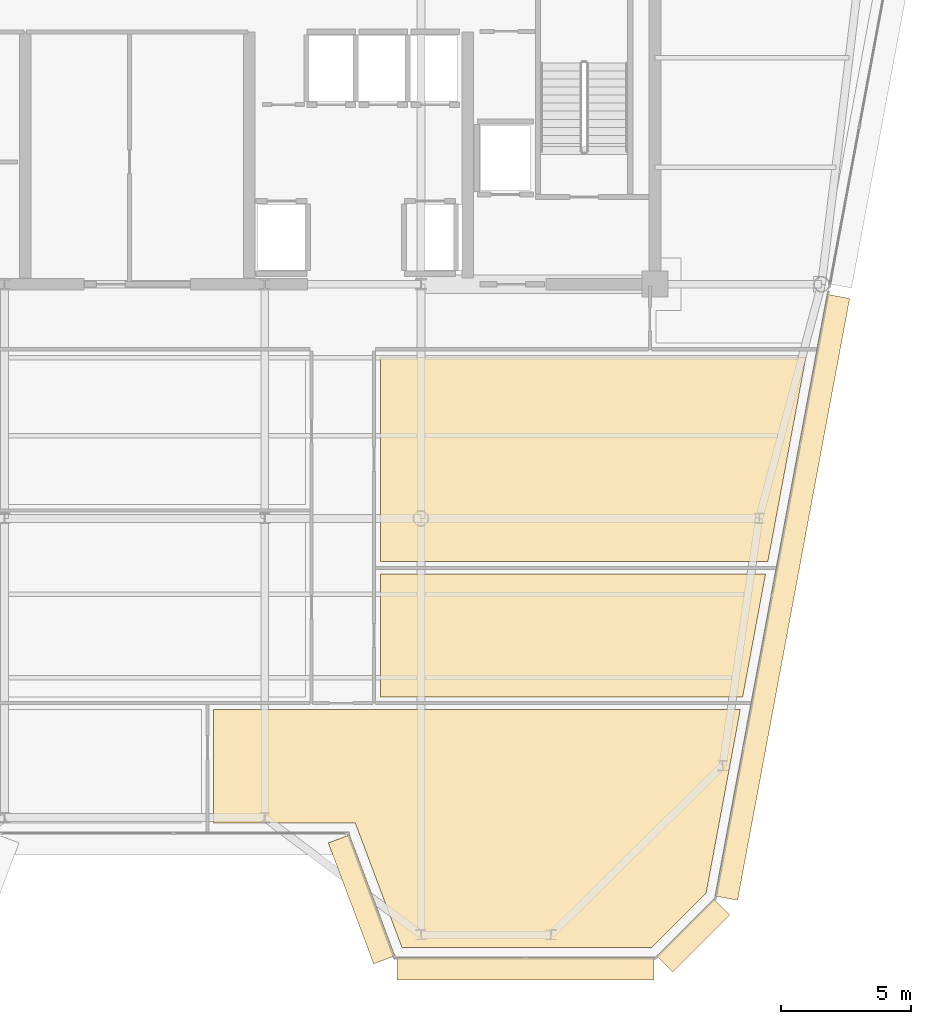
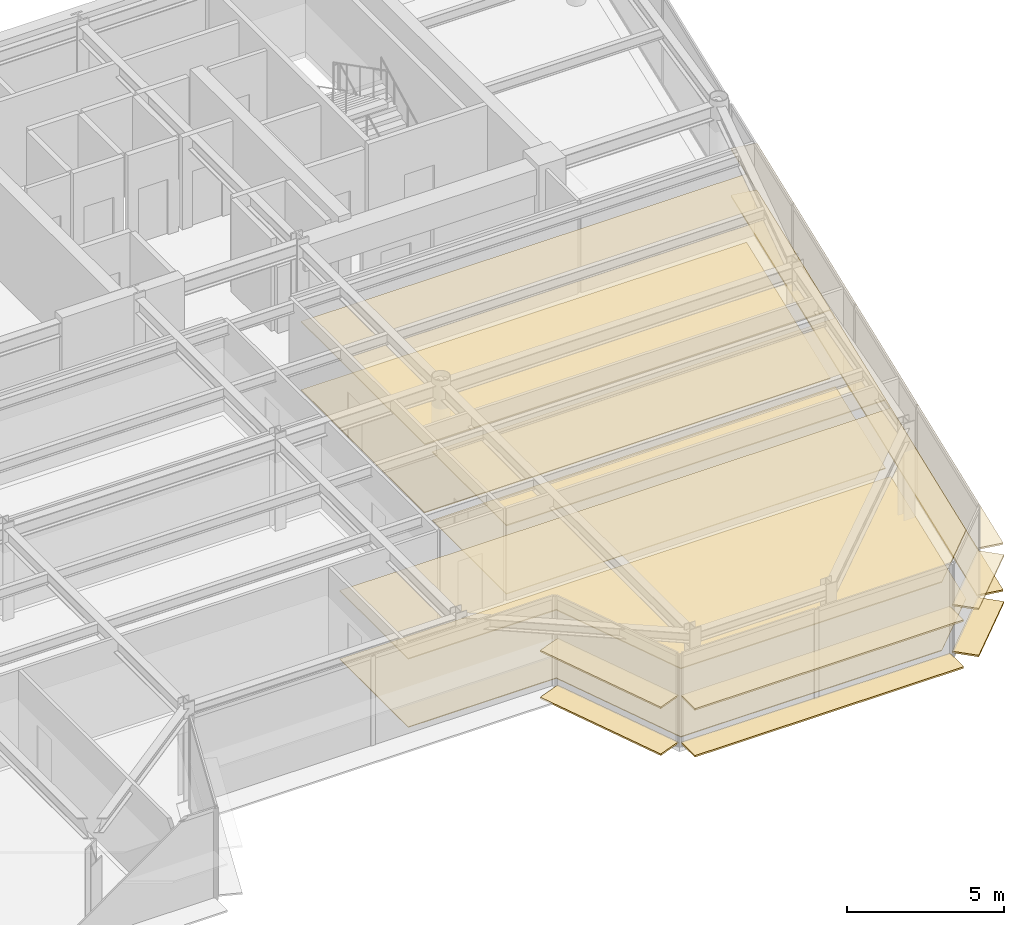
# One storey, part 14 of 18: 14 coverings.
"""IFC4 building model written with IfcOpenShell, lengths in metres."""

from ifc_helpers import new_model, si_unit, direction, frame, origin, origin_2d, place, context, subcontext, project, spatial, polyline, rectangle, outline, extrude, source, transform, mapped, material, layer, layer_set, type_object, element, save


model = new_model("IFC4")

# Units and contexts
model_context = context("Model", 3, precision=1e-05, world=origin(), true_north=direction((0.0, 1.0)))
body_context = subcontext(model_context, "Body", "Model", "MODEL_VIEW")
ifc_project = project(units=[si_unit("LENGTHUNIT", "METRE"), si_unit("AREAUNIT", "SQUARE_METRE"), si_unit("VOLUMEUNIT", "CUBIC_METRE"), si_unit("PLANEANGLEUNIT", "RADIAN"), si_unit("MASSUNIT", "GRAM", prefix="KILO")], contexts=[model_context])

# Site, building, storey
site_placement = place(None, origin())
site = spatial("IfcSite", under=ifc_project, at=site_placement, CompositionType="ELEMENT")
building_placement = place(site_placement, origin())
building = spatial("IfcBuilding", under=site, at=building_placement, Name="Vaeldorn Concourse Tower", CompositionType="ELEMENT")
storey_placement = place(building_placement, frame((0.0, 0.0, 253.60009765625)))
storey = spatial("IfcBuildingStorey", under=building, at=storey_placement, Name="L65", CompositionType="ELEMENT", Elevation=253.60009765625)

# Coverings
ifc_material_1 = material(Name="Acoustic Mineral Fibre Board", Category="gypsum")
ifc_layer_1 = layer(ifc_material_1, 0.0400390625)
ifc_layer_set_1 = layer_set([ifc_layer_1], Name="Acoustic Mineral Fibre Board")
covering_type_1 = type_object("IfcCoveringType", Name="COV-CEIL-ACOUSTIC", PredefinedType="CEILING", material=ifc_layer_set_1)
covering_1_placement = place(storey_placement, frame((0.0, 0.0, 2.64990234375)))
element("IfcCovering", 1, at=covering_1_placement, inside=storey, type_object=covering_type_1, Name="Suspended Acoustic Ceiling L65-7", PredefinedType="CEILING", context=body_context, shape_type="SweptSolid", body=[
    extrude(outline(polyline([(43.43994140625, 20.639892578125), (43.43994140625, 25.360107421875), (58.247314453125, 25.360107421875), (57.368408203125, 20.639892578125), (43.43994140625, 20.639892578125)])), origin(), (0.0, 0.0, 1.0), 0.0400390625),
])
covering_2_placement = place(storey_placement, frame((0.0, 0.0, 2.64990234375)))
element("IfcCovering", 2, at=covering_2_placement, inside=storey, type_object=covering_type_1, Name="Suspended Acoustic Ceiling L65-8", PredefinedType="CEILING", context=body_context, shape_type="SweptSolid", body=[
    extrude(outline(polyline([(43.43994140625, 25.840087890625), (43.43994140625, 33.699951171875), (59.800048828125, 33.699951171875), (58.33642578125, 25.840087890625), (43.43994140625, 25.840087890625)])), origin(), (0.0, 0.0, 1.0), 0.0400390625),
])
covering_3_placement = place(storey_placement, frame((0.0, 0.0, 2.64990234375)))
element("IfcCovering", 3, at=covering_3_placement, inside=storey, type_object=covering_type_1, Name="Suspended Acoustic Ceiling L65-11", PredefinedType="CEILING", context=body_context, shape_type="SweptSolid", body=[
    extrude(outline(polyline([(37.0400390625, 20.159912109375), (57.279052734375, 20.159912109375), (56.936767578125, 18.322021484375), (55.96337890625, 13.09521484375), (53.868408203125, 11.0), (44.277099609375, 11.0), (42.477294921875, 15.800048828125), (37.0400390625, 15.800048828125), (37.0400390625, 20.159912109375)])), origin(), (0.0, 0.0, 1.0), 0.0400390625),
])
ifc_material_2 = material(Name="Honed Limestone Terrazzo Flooring", Category="masonry")
ifc_layer_2 = layer(ifc_material_2, 0.0400390625)
ifc_layer_set_2 = layer_set([ifc_layer_2], Name="Honed Limestone Terrazzo Flooring")
covering_type_2 = type_object("IfcCoveringType", Name="COV-FLOOR-STONE", PredefinedType="FLOORING", material=ifc_layer_set_2)
covering_4_placement = place(storey_placement, origin())
element("IfcCovering", 4, at=covering_4_placement, inside=storey, type_object=covering_type_2, Name="Floor Finish Covering L65-7", PredefinedType="FLOORING", context=body_context, shape_type="SweptSolid", body=[
    extrude(outline(polyline([(43.43994140625, 20.639892578125), (43.43994140625, 25.360107421875), (58.247314453125, 25.360107421875), (57.368408203125, 20.639892578125), (43.43994140625, 20.639892578125)])), origin(), (0.0, 0.0, 1.0), 0.02978515625),
])
covering_5_placement = place(storey_placement, origin())
element("IfcCovering", 5, at=covering_5_placement, inside=storey, type_object=covering_type_2, Name="Floor Finish Covering L65-8", PredefinedType="FLOORING", context=body_context, shape_type="SweptSolid", body=[
    extrude(outline(polyline([(43.43994140625, 25.840087890625), (43.43994140625, 33.699951171875), (59.800048828125, 33.699951171875), (58.33642578125, 25.840087890625), (43.43994140625, 25.840087890625)])), origin(), (0.0, 0.0, 1.0), 0.02978515625),
])
covering_6_placement = place(storey_placement, origin())
element("IfcCovering", 6, at=covering_6_placement, inside=storey, type_object=covering_type_2, Name="Floor Finish Covering L65-11", PredefinedType="FLOORING", context=body_context, shape_type="SweptSolid", body=[
    extrude(outline(polyline([(37.0400390625, 20.159912109375), (57.279052734375, 20.159912109375), (56.936767578125, 18.322021484375), (55.96337890625, 13.09521484375), (53.868408203125, 11.0), (44.277099609375, 11.0), (42.477294921875, 15.800048828125), (37.0400390625, 15.800048828125), (37.0400390625, 20.159912109375)])), origin(), (0.0, 0.0, 1.0), 0.02978515625),
])
ifc_material_3 = material(Name="Anodised Bronze Aluminium", Category="aluminium")
ifc_layer_3 = layer(ifc_material_3, 0.06494140625)
ifc_layer_set_3 = layer_set([ifc_layer_3], Name="Anodised Bronze Aluminium")
covering_type_3 = type_object("IfcCoveringType", Name="SD-BRONZE-SUNSHADE", PredefinedType="USERDEFINED", material=ifc_layer_set_3)
shared_shape_1 = source(origin(), body_context, "Body", "SweptSolid", [
    extrude(rectangle(XDim=4.96630859375, YDim=0.8798828125, at=origin_2d()), origin(), (0.0, 0.0, 1.0), 0.06494140625),
])
for number, where, z_axis, x_axis, name in (
    (7, (42.7255859375, 12.859619140625, 0.04736328125), (0.0, 0.0, 1.0), (0.351122702609, -0.936329454686, 0.0), "Horizontal Bronze Sunshade L65-E04.1.1"),
    (8, (42.7255859375, 12.859619140625, 1.867431640625), (0.0, 0.0, 1.0), (0.351122702609, -0.936329454686, 0.0), "Horizontal Bronze Sunshade L65-E04.1.2"),
):
    element("IfcCovering", number, at=place(storey_placement, frame(where, z_axis=z_axis, x_axis=x_axis)), inside=storey, type_object=covering_type_3, Name=name, ObjectType="SUNSHADE", PredefinedType="USERDEFINED", context=body_context, shape_type="MappedRepresentation", body=[
        mapped(shared_shape_1, transform((0.0, 0.0, 0.0), scale=1.0)),
    ])
shared_shape_2 = source(origin(), body_context, "Body", "SweptSolid", [
    extrude(rectangle(XDim=3.0927734375, YDim=0.8798828125, at=origin_2d()), origin(), (0.0, 0.0, 1.0), 0.06494140625),
])
for number, where, z_axis, x_axis, name in (
    (9, (55.466796875, 11.46728515625, 0.04736328125), (0.0, 0.0, 1.0), (0.707106781187, 0.707106781187, 0.0), "Horizontal Bronze Sunshade L65-E06.1.1"),
    (10, (55.466796875, 11.46728515625, 1.867431640625), (0.0, 0.0, 1.0), (0.707106781187, 0.707106781187, 0.0), "Horizontal Bronze Sunshade L65-E06.1.2"),
):
    element("IfcCovering", number, at=place(storey_placement, frame(where, z_axis=z_axis, x_axis=x_axis)), inside=storey, type_object=covering_type_3, Name=name, ObjectType="SUNSHADE", PredefinedType="USERDEFINED", context=body_context, shape_type="MappedRepresentation", body=[
        mapped(shared_shape_2, transform((0.0, 0.0, 0.0), scale=1.0)),
    ])
shared_shape_3 = source(origin(), body_context, "Body", "SweptSolid", [
    extrude(rectangle(XDim=23.525146484375, YDim=0.8798828125, at=origin_2d()), origin(), (0.0, 0.0, 1.0), 0.06494140625),
])
for number, where, z_axis, x_axis, name in (
    (11, (58.89501953125, 24.46923828125, 0.04736328125), (0.0, 0.0, 1.0), (0.183059191151, 0.983101893262, 0.0), "Horizontal Bronze Sunshade L65-E07.1.1"),
    (12, (58.89501953125, 24.46923828125, 1.867431640625), (0.0, 0.0, 1.0), (0.183059191151, 0.983101893262, 0.0), "Horizontal Bronze Sunshade L65-E07.1.2"),
):
    element("IfcCovering", number, at=place(storey_placement, frame(where, z_axis=z_axis, x_axis=x_axis)), inside=storey, type_object=covering_type_3, Name=name, ObjectType="SUNSHADE", PredefinedType="USERDEFINED", context=body_context, shape_type="MappedRepresentation", body=[
        mapped(shared_shape_3, transform((0.0, 0.0, 0.0), scale=1.0)),
    ])
shared_shape_4 = source(origin(), body_context, "Body", "SweptSolid", [
    extrude(rectangle(XDim=9.8740234375, YDim=0.8798828125, at=origin_2d()), origin(), (0.0, 0.0, 1.0), 0.06494140625),
])
for number, where, z_axis, x_axis, name in (
    (13, (49.01708984375, 10.199951171875, 0.04736328125), (0.0, 0.0, 1.0), (1.0, 0.0, 0.0), "Horizontal Bronze Sunshade L65-E05.1.1"),
    (14, (49.01708984375, 10.199951171875, 1.867431640625), (0.0, 0.0, 1.0), (1.0, 0.0, 0.0), "Horizontal Bronze Sunshade L65-E05.1.2"),
):
    element("IfcCovering", number, at=place(storey_placement, frame(where, z_axis=z_axis, x_axis=x_axis)), inside=storey, type_object=covering_type_3, Name=name, ObjectType="SUNSHADE", PredefinedType="USERDEFINED", context=body_context, shape_type="MappedRepresentation", body=[
        mapped(shared_shape_4, transform((0.0, 0.0, 0.0), scale=1.0)),
    ])

save(model, "model.ifc")
